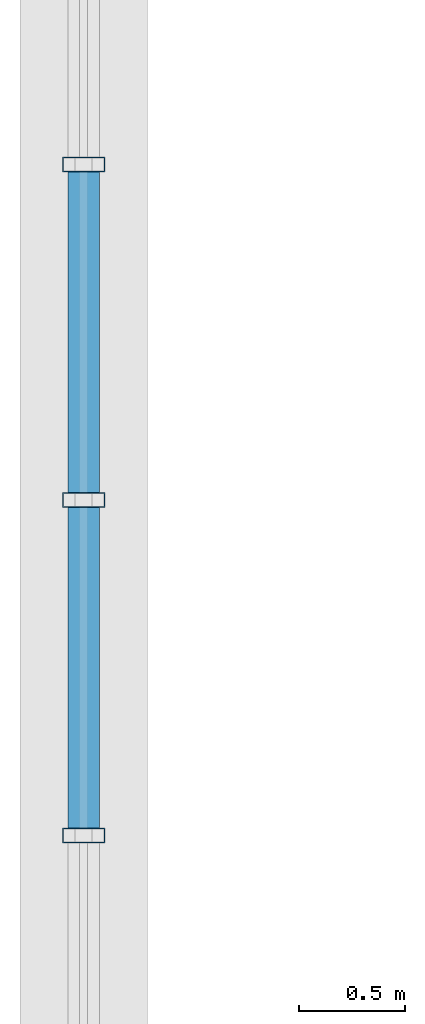
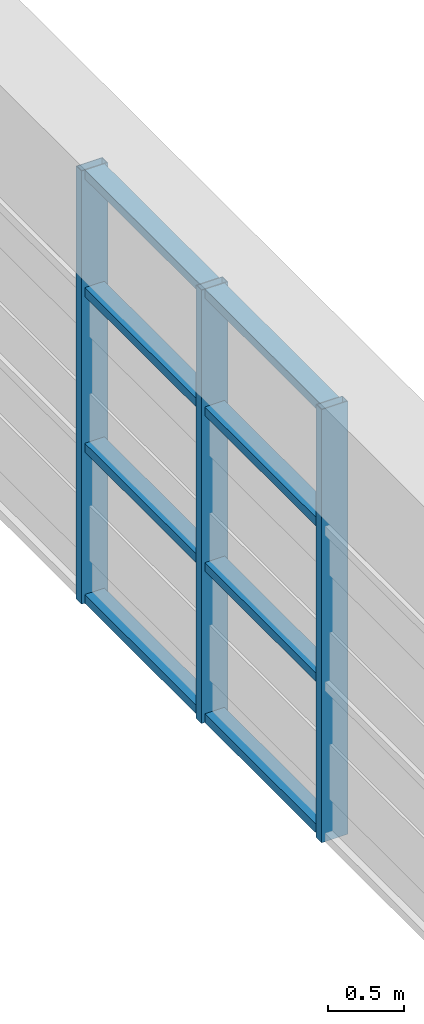
# One storey, part 8 of 27: 11 members, 1 element without a shape of its own.
"""IFC4 building model written with IfcOpenShell, lengths in metres."""

import ifcopenshell
import ifcopenshell.guid

model = None  # the IFC model being written
_history = None  # IfcOwnerHistory: only IFC2X3 demands one
_inside = {}  # id of a spatial element -> (the spatial element, [elements in it])
_under = {}  # id of a project, library or spatial element -> (it, [spatial elements below it])
_declared = {}  # id of a project -> (the project, [libraries it declares])
_typed = {}  # id of a type object -> (the type object, [elements of that type])
_made_of = {}  # id of a material, layer set ... -> (it, [elements and type objects made of it])


def new_model(schema):
    """Start an empty IFC model of exactly this schema.

    Asked for "IFC4X3", IfcOpenShell would pick the latest addendum, in which some entities
    have other attributes; the version numbers below select the first issue.
    IFC2X3 requires an IfcOwnerHistory on every rooted entity: one is made here for all.
    """
    global model, _history
    if schema == "IFC4X3":
        model = ifcopenshell.file(schema_version=(4, 3, 0, 0))
    else:
        model = ifcopenshell.file(schema=schema)
    _inside.clear()
    _under.clear()
    _declared.clear()
    _typed.clear()
    _made_of.clear()
    _history = None
    if model.schema == "IFC2X3":
        org = make("IfcOrganization", Name="unknown")
        user = make(
            "IfcPersonAndOrganization",
            ThePerson=make("IfcPerson", FamilyName="unknown"),
            TheOrganization=org,
        )
        app = make(
            "IfcApplication",
            ApplicationDeveloper=org,
            Version="unknown",
            ApplicationFullName="unknown",
            ApplicationIdentifier="unknown",
        )
        _history = make(
            "IfcOwnerHistory",
            OwningUser=user,
            OwningApplication=app,
            ChangeAction="ADDED",
            CreationDate=0,
        )
    return model


def make(cls, **values):
    """One entity of the class cls with the attributes given. An attribute that is None is left unset."""
    return model.create_entity(
        cls, **{name: value for name, value in values.items() if value is not None}
    )


def rooted(cls, **values):
    """An entity with a GlobalId (a new one), such as an element, a storey or a relation."""
    return make(cls, GlobalId=ifcopenshell.guid.new(), OwnerHistory=_history, **values)


def si_unit(unit_type, name, prefix=None):
    """IfcSIUnit, for example si_unit("LENGTHUNIT", "METRE", prefix="MILLI")."""
    return make("IfcSIUnit", UnitType=unit_type, Prefix=prefix, Name=name)


def assignment(units):
    """IfcUnitAssignment: the units of a project."""
    return None if units is None else make("IfcUnitAssignment", Units=units)


def point(xyz):
    """IfcCartesianPoint."""
    return None if xyz is None else make("IfcCartesianPoint", Coordinates=xyz)


def direction(xyz):
    """IfcDirection."""
    return None if xyz is None else make("IfcDirection", DirectionRatios=xyz)


def frame(location, z_axis=None, x_axis=None):
    """IfcAxis2Placement3D, a coordinate frame: its origin and axes. An axis left out is left unset."""
    return make(
        "IfcAxis2Placement3D",
        Location=point(location),
        Axis=direction(z_axis),
        RefDirection=direction(x_axis),
    )


def frame_2d(location, x_axis=None):
    """IfcAxis2Placement2D, a coordinate frame in the plane: its origin and x axis."""
    return make(
        "IfcAxis2Placement2D", Location=point(location), RefDirection=direction(x_axis)
    )


def origin():
    """The frame at (0, 0, 0) with its axes left unset."""
    return frame((0.0, 0.0, 0.0))


def origin_2d():
    """The frame at (0, 0) in the plane with its x axis left unset."""
    return frame_2d((0.0, 0.0))


def place(relative_to, where):
    """IfcLocalPlacement: puts the frame where relative to a parent placement (None: the world)."""
    return make(
        "IfcLocalPlacement", PlacementRelTo=relative_to, RelativePlacement=where
    )


def context(
    kind, dimensions, precision=None, world=None, true_north=None, identifier=None
):
    """IfcGeometricRepresentationContext, for example the 3D "Model" context."""
    return make(
        "IfcGeometricRepresentationContext",
        ContextIdentifier=identifier,
        ContextType=kind,
        CoordinateSpaceDimension=dimensions,
        Precision=precision,
        WorldCoordinateSystem=world,
        TrueNorth=true_north,
    )


def subcontext(parent, identifier, kind, view, scale=None):
    """IfcGeometricRepresentationSubContext, for example "Body" below "Model"."""
    return make(
        "IfcGeometricRepresentationSubContext",
        ContextIdentifier=identifier,
        ContextType=kind,
        ParentContext=parent,
        TargetScale=scale,
        TargetView=view,
    )


def project(units=None, contexts=None):
    """IfcProject with its units and contexts."""
    return rooted(
        "IfcProject",
        Name="project",
        RepresentationContexts=contexts,
        UnitsInContext=assignment(units),
    )


def spatial(cls, under=None, at=None, **own):
    """A site, building, storey or space (cls), placed at a placement, below another one or the project."""
    s = rooted(cls, ObjectPlacement=at, **own)
    if under is not None:
        _under.setdefault(under.id(), (under, []))[1].append(s)
    return s


def profile(cls, at=None, kind="AREA", **sizes):
    """A parametric profile (cls). Its sizes go by their IFC names, for example OverallWidth=200.0."""
    return make(cls, ProfileType=kind, Position=at, **sizes)


def hollow_rectangle(**sizes):
    """IfcRectangleHollowProfileDef."""
    return profile("IfcRectangleHollowProfileDef", **sizes)


def extrude(swept, where, along, depth):
    """IfcExtrudedAreaSolid: the profile swept, set in the frame where, extruded along a direction by depth."""
    return make(
        "IfcExtrudedAreaSolid",
        SweptArea=swept,
        Position=where,
        ExtrudedDirection=direction(along),
        Depth=depth,
    )


def shape(context_of_items, identifier, shape_type, items):
    """IfcShapeRepresentation: the items that make up one representation, for example the "Body"."""
    return make(
        "IfcShapeRepresentation",
        ContextOfItems=context_of_items,
        RepresentationIdentifier=identifier,
        RepresentationType=shape_type,
        Items=items,
    )


def source(mapping_origin, context_of_items, identifier, shape_type, items):
    """IfcRepresentationMap: a shape defined once, which mapped items show again and again."""
    return make(
        "IfcRepresentationMap",
        MappingOrigin=mapping_origin,
        MappedRepresentation=shape(context_of_items, identifier, shape_type, items),
    )


def transform(
    local_origin,
    x_axis=None,
    y_axis=None,
    z_axis=None,
    scale=None,
    scale2=None,
    scale3=None,
    uniform=True,
):
    """IfcCartesianTransformationOperator3D, or its non-uniform kind. x_axis, y_axis, z_axis: its Axis1, 2, 3."""
    if uniform:
        return make(
            "IfcCartesianTransformationOperator3D",
            Axis1=direction(x_axis),
            Axis2=direction(y_axis),
            LocalOrigin=point(local_origin),
            Scale=scale,
            Axis3=direction(z_axis),
        )
    return make(
        "IfcCartesianTransformationOperator3DnonUniform",
        Axis1=direction(x_axis),
        Axis2=direction(y_axis),
        LocalOrigin=point(local_origin),
        Scale=scale,
        Axis3=direction(z_axis),
        Scale2=scale2,
        Scale3=scale3,
    )


def mapped(mapping_source, mapping_target):
    """IfcMappedItem: shows the shape of a source again, moved by a transform."""
    return make(
        "IfcMappedItem", MappingSource=mapping_source, MappingTarget=mapping_target
    )


def material(Name=None, Category=None):
    """IfcMaterial."""
    return make("IfcMaterial", Name=Name, Category=Category)


def layer(
    of_material, thickness, ventilated=None, Name=None, Category=None, Priority=None
):
    """IfcMaterialLayer: one layer of a wall or slab, of a material (None: an air gap)."""
    return make(
        "IfcMaterialLayer",
        Material=of_material,
        LayerThickness=thickness,
        IsVentilated=ventilated,
        Name=Name,
        Category=Category,
        Priority=Priority,
    )


def layer_set(layers, Name=None):
    """IfcMaterialLayerSet."""
    return make("IfcMaterialLayerSet", MaterialLayers=layers, LayerSetName=Name)


def material_profile(
    of_material, cross_section, Name=None, Category=None, Priority=None
):
    """IfcMaterialProfile: a cross section and its material."""
    return make(
        "IfcMaterialProfile",
        Name=Name,
        Material=of_material,
        Profile=cross_section,
        Priority=Priority,
        Category=Category,
    )


def profile_set(profiles, Name=None, composite=None):
    """IfcMaterialProfileSet."""
    return make(
        "IfcMaterialProfileSet",
        Name=Name,
        MaterialProfiles=profiles,
        CompositeProfile=composite,
    )


def made_of(thing, what):
    """Note that an element or type object is made of a material, layer set ...; save() writes the relation."""
    if what is not None:
        _made_of.setdefault(what.id(), (what, []))[1].append(thing)
    return thing


def type_object(cls, material=None, **own):
    """A type object (cls), such as IfcWallType, which elements share."""
    return made_of(rooted(cls, **own), material)


def element(
    cls,
    number,
    at=None,
    inside=None,
    cuts=None,
    type_object=None,
    material=None,
    context=None,
    identifier="Body",
    shape_type=None,
    held_by="IfcProductDefinitionShape",
    body=None,
    shapes=None,
    **own,
):
    """One element of the class cls, such as IfcWall. Its Tag is "e" and its number.

    at: its placement. inside: the storey or other place that contains it. cuts: it is an
    opening in that element (IfcRelVoidsElement). A single representation is given by context,
    identifier, shape_type and body (its items); several are given by shapes. held_by: the class
    of the entity that holds the representations. save() writes the other relations.
    """
    e = rooted(cls, Tag="e%d" % number, ObjectPlacement=at, **own)
    if body is not None:
        shapes = [shape(context, identifier, shape_type, body)]
    if shapes is not None:
        e.Representation = make(held_by, Representations=shapes)
    if inside is not None:
        _inside.setdefault(inside.id(), (inside, []))[1].append(e)
    if cuts is not None:
        rooted(
            "IfcRelVoidsElement", RelatingBuildingElement=cuts, RelatedOpeningElement=e
        )
    if type_object is not None:
        _typed.setdefault(type_object.id(), (type_object, []))[1].append(e)
    return made_of(e, material)


def aggregate(whole, parts):
    """IfcRelAggregates: a whole, such as a stair, and the parts it consists of."""
    return rooted("IfcRelAggregates", RelatingObject=whole, RelatedObjects=parts)


def save(model, path):
    """Write the relations noted so far, then the file.

    IfcRelAggregates (storeys below a building ...), IfcRelContainedInSpatialStructure (elements
    in a storey), IfcRelDefinesByType, IfcRelAssociatesMaterial and IfcRelDeclares: one each for
    every whole, place, type object, material and project.
    """
    for whole, parts in _under.values():
        aggregate(whole, parts)
    for where, things in _inside.values():
        rooted(
            "IfcRelContainedInSpatialStructure",
            RelatedElements=things,
            RelatingStructure=where,
        )
    for kind, things in _typed.values():
        rooted("IfcRelDefinesByType", RelatedObjects=things, RelatingType=kind)
    for what, things in _made_of.values():
        rooted("IfcRelAssociatesMaterial", RelatedObjects=things, RelatingMaterial=what)
    for by, libraries in _declared.values():
        rooted("IfcRelDeclares", RelatingContext=by, RelatedDefinitions=libraries)
    model.write(path)


model = new_model("IFC4")

# Units and contexts
model_context = context("Model", 3, precision=1e-05, world=origin(), true_north=direction((0.0, 1.0)))
body_context = subcontext(model_context, "Body", "Model", "MODEL_VIEW")
ifc_project = project(units=[si_unit("LENGTHUNIT", "METRE"), si_unit("AREAUNIT", "SQUARE_METRE"), si_unit("VOLUMEUNIT", "CUBIC_METRE"), si_unit("PLANEANGLEUNIT", "RADIAN"), si_unit("MASSUNIT", "GRAM", prefix="KILO")], contexts=[model_context])

# Site, building, storey
site_placement = place(None, origin())
site = spatial("IfcSite", under=ifc_project, at=site_placement, CompositionType="ELEMENT")
building_placement = place(site_placement, origin())
building = spatial("IfcBuilding", under=site, at=building_placement, Name="Saelheon Loggia Tower", CompositionType="ELEMENT")
storey_placement = place(building_placement, frame((0.0, 0.0, 263.60009765625)))
storey = spatial("IfcBuildingStorey", under=building, at=storey_placement, Name="CR4", CompositionType="ELEMENT", Elevation=263.60009765625)

# Curtain wall, members
ifc_material_1 = material(Name="Bronze-Anodised Aluminium and Fritted Ceramic Screen", Category="aluminium")
ifc_layer = layer(ifc_material_1, 0.219970703125)
ifc_layer_set = layer_set([ifc_layer], Name="Bronze-Anodised Aluminium and Fritted Ceramic Screen")
curtain_wall_type = type_object("IfcCurtainWallType", Name="CW_CrownScreen", PredefinedType="NOTDEFINED", material=ifc_layer_set)
curtain_wall_placement = place(storey_placement, origin())
curtain_wall = element("IfcCurtainWall", 1, at=curtain_wall_placement, inside=storey, type_object=curtain_wall_type, Name="CR4 Crown Screen Curtain Wall 9-2", PredefinedType="NOTDEFINED")
ifc_material_2 = material(Name="Bronze-Anodised Aluminium 6063-T6", Category="aluminium")
ifc_material_profile_1 = material_profile(ifc_material_2, hollow_rectangle(XDim=0.070068359375, YDim=0.199951171875, WallThickness=0.0048828125, at=origin_2d()), Name="RHS-200x70x5")
ifc_profile_set_1 = profile_set([ifc_material_profile_1], Name="Bronze-Anodised Aluminium 6063-T6")
member_type_1 = type_object("IfcMemberType", Name="CW_CrownScreen_Mullion", PredefinedType="MULLION", material=ifc_profile_set_1)
shared_shape_1 = source(origin(), body_context, "Body", "SweptSolid", [
    extrude(hollow_rectangle(XDim=0.070068359375, YDim=0.199951171875, WallThickness=0.0048828125, at=origin_2d()), origin(), (0.0, 0.0, 1.0), 3.47998046875),
])
member_1_placement = place(storey_placement, frame((23.35009765625, 26.2099609375, 0.0), z_axis=(0.0, 0.0, 1.0), x_axis=(0.0, -1.0, 0.0)))
member_1 = element("IfcMember", 2, at=member_1_placement, type_object=member_type_1, Name="CW6 mullion 7", PredefinedType="MULLION", context=body_context, shape_type="MappedRepresentation", body=[
    mapped(shared_shape_1, transform((0.0, 0.0, 0.0), scale=1.0)),
])
member_2_placement = place(storey_placement, frame((23.35009765625, 24.6298828125, 0.0), z_axis=(0.0, 0.0, 1.0), x_axis=(0.0, -1.0, 0.0)))
member_2 = element("IfcMember", 3, at=member_2_placement, type_object=member_type_1, Name="CW6 mullion 8", PredefinedType="MULLION", context=body_context, shape_type="MappedRepresentation", body=[
    mapped(shared_shape_1, transform((0.0, 0.0, 0.0), scale=1.0)),
])
member_3_placement = place(storey_placement, frame((23.35009765625, 23.050048828125, 0.0), z_axis=(0.0, 0.0, 1.0), x_axis=(0.0, -1.0, 0.0)))
member_3 = element("IfcMember", 4, at=member_3_placement, type_object=member_type_1, Name="CW6 mullion 9", PredefinedType="MULLION", context=body_context, shape_type="MappedRepresentation", body=[
    mapped(shared_shape_1, transform((0.0, 0.0, 0.0), scale=1.0)),
])
ifc_material_profile_2 = material_profile(ifc_material_2, hollow_rectangle(XDim=0.070068359375, YDim=0.14990234375, WallThickness=0.0048828125, at=origin_2d()), Name="RHS-150x70x5")
ifc_profile_set_2 = profile_set([ifc_material_profile_2], Name="Bronze-Anodised Aluminium 6063-T6")
member_type_2 = type_object("IfcMemberType", Name="CW_CrownScreen_Transom", PredefinedType="USERDEFINED", material=ifc_profile_set_2)
shared_shape_2 = source(origin(), body_context, "Body", "SweptSolid", [
    extrude(hollow_rectangle(XDim=0.070068359375, YDim=0.14990234375, WallThickness=0.0048828125, at=origin_2d()), origin(), (0.0, 0.0, 1.0), 1.510009765625),
])
member_4_placement = place(storey_placement, frame((23.35009765625, 26.175048828125, 0.034912109375), z_axis=(0.0, -1.0, 0.0), x_axis=(0.0, 0.0, 1.0)))
member_4 = element("IfcMember", 5, at=member_4_placement, type_object=member_type_2, Name="CW6 transom 7.1", ObjectType="TRANSOM", PredefinedType="USERDEFINED", context=body_context, shape_type="MappedRepresentation", body=[
    mapped(shared_shape_2, transform((0.0, 0.0, 0.0), scale=1.0)),
])
member_5_placement = place(storey_placement, frame((23.35009765625, 26.175048828125, 1.25), z_axis=(0.0, -1.0, 0.0), x_axis=(0.0, 0.0, 1.0)))
member_5 = element("IfcMember", 6, at=member_5_placement, type_object=member_type_2, Name="CW6 transom 7.2", ObjectType="TRANSOM", PredefinedType="USERDEFINED", context=body_context, shape_type="MappedRepresentation", body=[
    mapped(shared_shape_2, transform((0.0, 0.0, 0.0), scale=1.0)),
])
member_6_placement = place(storey_placement, frame((23.35009765625, 26.175048828125, 2.5), z_axis=(0.0, -1.0, 0.0), x_axis=(0.0, 0.0, 1.0)))
member_6 = element("IfcMember", 7, at=member_6_placement, type_object=member_type_2, Name="CW6 transom 7.3", ObjectType="TRANSOM", PredefinedType="USERDEFINED", context=body_context, shape_type="MappedRepresentation", body=[
    mapped(shared_shape_2, transform((0.0, 0.0, 0.0), scale=1.0)),
])
member_7_placement = place(storey_placement, frame((23.35009765625, 26.175048828125, 3.44482421875), z_axis=(0.0, -1.0, 0.0), x_axis=(0.0, 0.0, 1.0)))
member_7 = element("IfcMember", 8, at=member_7_placement, type_object=member_type_2, Name="CW6 transom 7.4", ObjectType="TRANSOM", PredefinedType="USERDEFINED", context=body_context, shape_type="MappedRepresentation", body=[
    mapped(shared_shape_2, transform((0.0, 0.0, 0.0), scale=1.0)),
])
member_8_placement = place(storey_placement, frame((23.35009765625, 24.594970703125, 0.034912109375), z_axis=(0.0, -1.0, 0.0), x_axis=(0.0, 0.0, 1.0)))
member_8 = element("IfcMember", 9, at=member_8_placement, type_object=member_type_2, Name="CW6 transom 8.1", ObjectType="TRANSOM", PredefinedType="USERDEFINED", context=body_context, shape_type="MappedRepresentation", body=[
    mapped(shared_shape_2, transform((0.0, 0.0, 0.0), scale=1.0)),
])
member_9_placement = place(storey_placement, frame((23.35009765625, 24.594970703125, 1.25), z_axis=(0.0, -1.0, 0.0), x_axis=(0.0, 0.0, 1.0)))
member_9 = element("IfcMember", 10, at=member_9_placement, type_object=member_type_2, Name="CW6 transom 8.2", ObjectType="TRANSOM", PredefinedType="USERDEFINED", context=body_context, shape_type="MappedRepresentation", body=[
    mapped(shared_shape_2, transform((0.0, 0.0, 0.0), scale=1.0)),
])
member_10_placement = place(storey_placement, frame((23.35009765625, 24.594970703125, 2.5), z_axis=(0.0, -1.0, 0.0), x_axis=(0.0, 0.0, 1.0)))
member_10 = element("IfcMember", 11, at=member_10_placement, type_object=member_type_2, Name="CW6 transom 8.3", ObjectType="TRANSOM", PredefinedType="USERDEFINED", context=body_context, shape_type="MappedRepresentation", body=[
    mapped(shared_shape_2, transform((0.0, 0.0, 0.0), scale=1.0)),
])
member_11_placement = place(storey_placement, frame((23.35009765625, 24.594970703125, 3.44482421875), z_axis=(0.0, -1.0, 0.0), x_axis=(0.0, 0.0, 1.0)))
member_11 = element("IfcMember", 12, at=member_11_placement, type_object=member_type_2, Name="CW6 transom 8.4", ObjectType="TRANSOM", PredefinedType="USERDEFINED", context=body_context, shape_type="MappedRepresentation", body=[
    mapped(shared_shape_2, transform((0.0, 0.0, 0.0), scale=1.0)),
])
aggregate(curtain_wall, [member_1, member_2, member_3, member_4, member_5, member_6, member_7, member_8, member_9, member_10, member_11])

save(model, "model.ifc")
